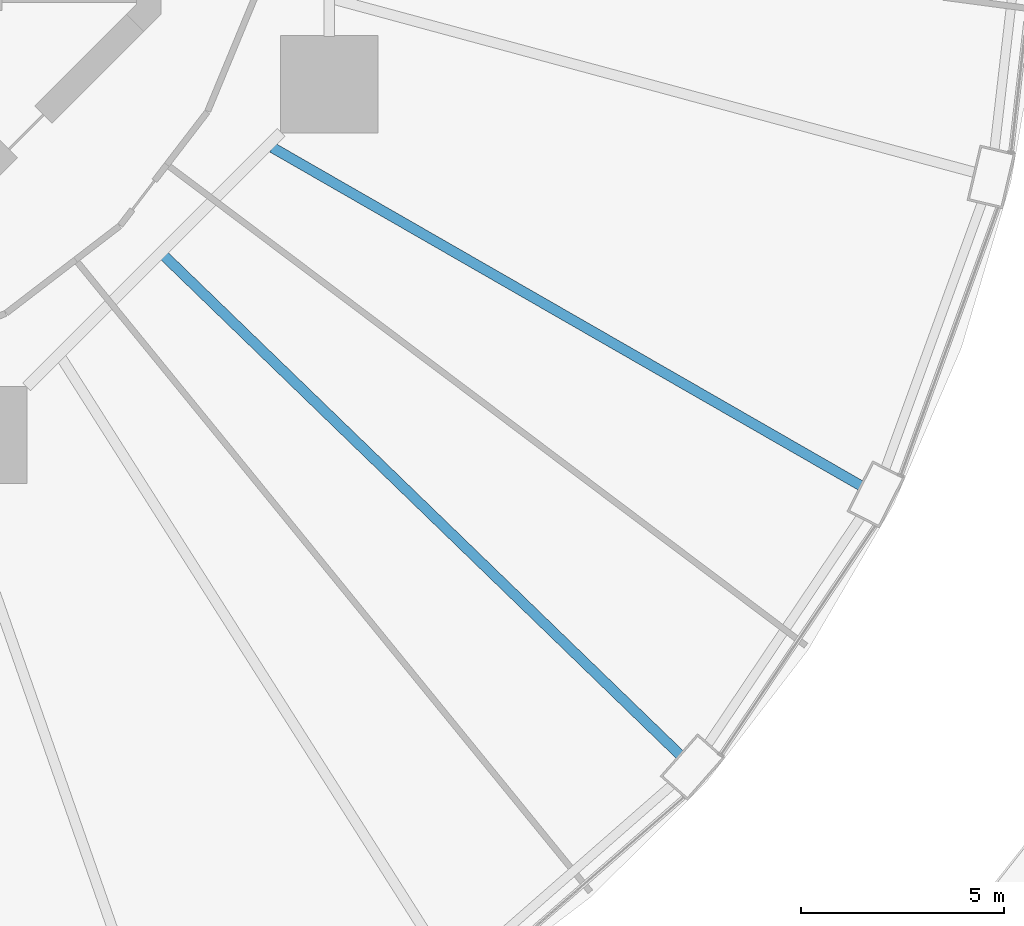
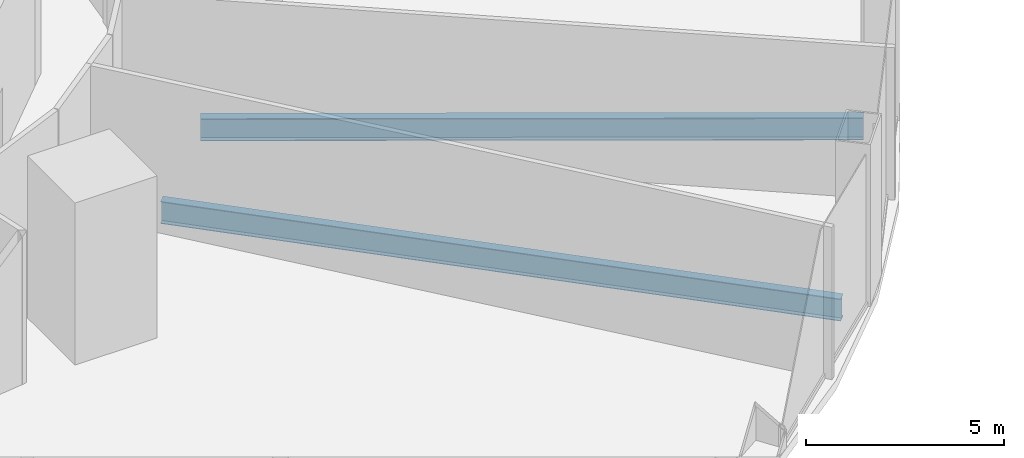
# One storey, part 14 of 47: 2 beams.
"""IFC4 building model written with IfcOpenShell, lengths in metres."""

from ifc_helpers import new_model, si_unit, direction, frame, origin, origin_2d, place, context, subcontext, project, spatial, i_section, extrude, material, material_profile, profile_set, type_object, element, save


model = new_model("IFC4")

# Units and contexts
model_context = context("Model", 3, precision=1e-05, world=origin(), true_north=direction((0.0, 1.0)))
body_context = subcontext(model_context, "Body", "Model", "MODEL_VIEW")
ifc_project = project(units=[si_unit("LENGTHUNIT", "METRE"), si_unit("AREAUNIT", "SQUARE_METRE"), si_unit("VOLUMEUNIT", "CUBIC_METRE"), si_unit("PLANEANGLEUNIT", "RADIAN"), si_unit("MASSUNIT", "GRAM", prefix="KILO")], contexts=[model_context])

# Site, building, storey
site_placement = place(None, origin())
site = spatial("IfcSite", under=ifc_project, at=site_placement, CompositionType="ELEMENT")
building_placement = place(site_placement, origin())
building = spatial("IfcBuilding", under=site, at=building_placement, Name="Nagisa Residences", CompositionType="ELEMENT")
storey_placement = place(building_placement, frame((0.0, 0.0, 17.0)))
storey = spatial("IfcBuildingStorey", under=building, at=storey_placement, Name="L03", CompositionType="ELEMENT", Elevation=17.0)

# Beams
ifc_material = material(Name="Steel ASTM A572 Gr 50", Category="steel")
ifc_material_profile = material_profile(ifc_material, i_section(OverallWidth=0.25390625, OverallDepth=0.68408203125, WebThickness=0.012451171875, FlangeThickness=0.018798828125, at=origin_2d()), Name="W690x140")
ifc_profile_set = profile_set([ifc_material_profile], Name="Steel ASTM A572 Gr 50")
beam_type = type_object("IfcBeamType", Name="Radial beam W690x140", PredefinedType="BEAM", material=ifc_profile_set)
beam_1_placement = place(storey_placement, frame((23.443115234375, -22.681640625, -0.64208984375), z_axis=(-0.718678305776, 0.695342716081, 0.0), x_axis=(-0.695342716081, -0.718678305776, 0.0)))
element("IfcBeam", 1, at=beam_1_placement, inside=storey, type_object=beam_type, Name="beam:L03:rb22", PredefinedType="BEAM", context=body_context, shape_type="SweptSolid", body=[
    extrude(i_section(OverallWidth=0.25390625, OverallDepth=0.68408203125, WebThickness=0.012451171875, FlangeThickness=0.018798828125, at=origin_2d()), origin(), (0.0, 0.0, 1.0), 17.722900390625),
])
beam_2_placement = place(storey_placement, frame((27.908447265625, -16.035400390625, -0.64208984375), z_axis=(-0.867068052258, 0.498189715623, 0.0), x_axis=(-0.498189715623, -0.867068052258, 0.0)))
element("IfcBeam", 2, at=beam_2_placement, inside=storey, type_object=beam_type, Name="beam:L03:rb23", PredefinedType="BEAM", context=body_context, shape_type="SweptSolid", body=[
    extrude(i_section(OverallWidth=0.25390625, OverallDepth=0.68408203125, WebThickness=0.012451171875, FlangeThickness=0.018798828125, at=origin_2d()), origin(), (0.0, 0.0, 1.0), 16.758056640625),
])

save(model, "model.ifc")
